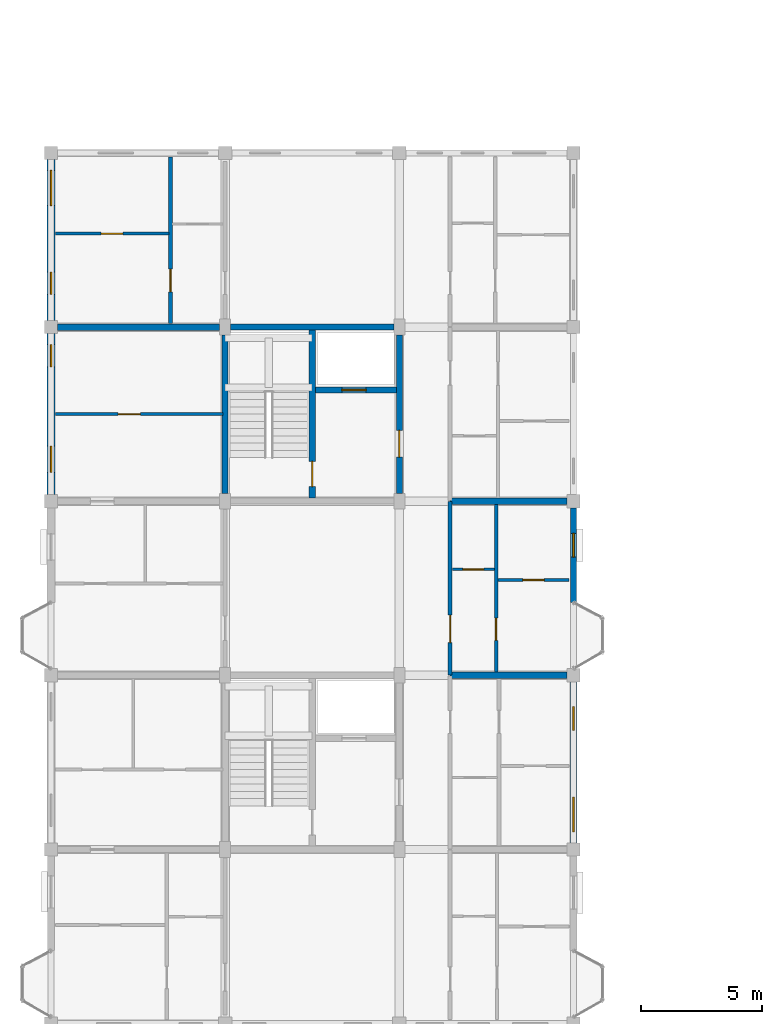
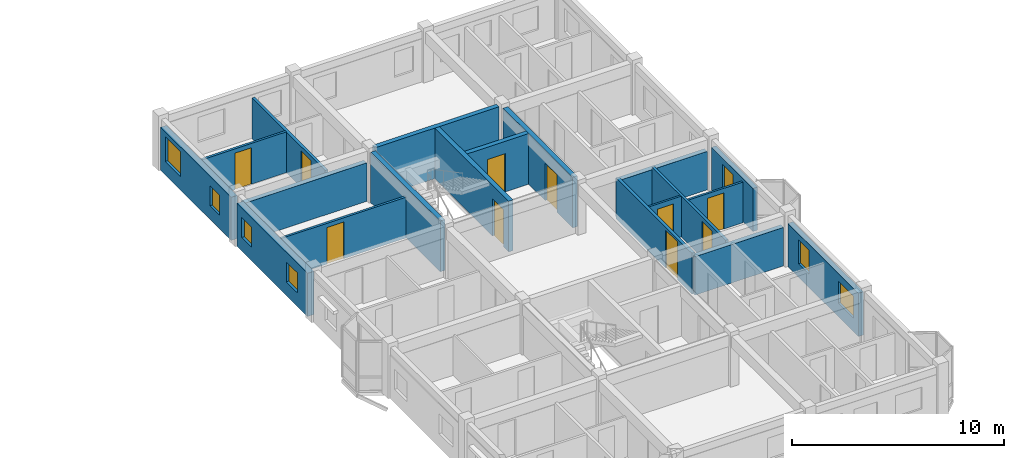
# One storey, part 57 of 77: 19 walls, 10 doors, 7 windows, 17 openings.
"""IFC4 building model written with IfcOpenShell, lengths in metres."""

from ifc_helpers import new_model, si_unit, direction, frame, frame_2d, origin, place, context, subcontext, project, spatial, rectangle, extrude, material, layer, layer_set, type_object, element, fill, save


model = new_model("IFC4")

# Units and contexts
model_context = context("Model", 3, precision=1e-05, world=origin(), true_north=direction((0.0, 1.0)))
body_context = subcontext(model_context, "Body", "Model", "MODEL_VIEW")
ifc_project = project(units=[si_unit("LENGTHUNIT", "METRE"), si_unit("AREAUNIT", "SQUARE_METRE"), si_unit("VOLUMEUNIT", "CUBIC_METRE"), si_unit("PLANEANGLEUNIT", "RADIAN"), si_unit("MASSUNIT", "GRAM", prefix="KILO"), si_unit("THERMODYNAMICTEMPERATUREUNIT", "KELVIN"), si_unit("POWERUNIT", "WATT")], contexts=[model_context])

# Site, building, storey
site_placement = place(None, origin())
site = spatial("IfcSite", under=ifc_project, at=site_placement, CompositionType="ELEMENT")
building_placement = place(site_placement, origin())
building = spatial("IfcBuilding", under=site, at=building_placement, Name="Tavuni Mirador Residences", CompositionType="ELEMENT")
storey_placement = place(building_placement, frame((0.0, 0.0, 10.800048828125)))
storey = spatial("IfcBuildingStorey", under=building, at=storey_placement, Name="L03", CompositionType="ELEMENT", Elevation=10.800048828125)

# Walls
ifc_material_1 = material(Name="Precast concrete C40/50", Category="concrete")
ifc_layer_1 = layer(ifc_material_1, 0.25, Name="Precast concrete C40/50", Category="concrete")
ifc_layer_set_1 = layer_set([ifc_layer_1], Name="Precast concrete C40/50")
wall_type_1 = type_object("IfcWallType", Name="WT-COR250", PredefinedType="SHEAR", material=ifc_layer_set_1)
wall_1_placement = place(storey_placement, frame((10.800048828125, 86.72509765625, 0.0), z_axis=(0.0, 0.0, 1.0), x_axis=(0.0, 1.0, 0.0)))
element("IfcWall", 1, at=wall_1_placement, inside=storey, type_object=wall_type_1, Name="CWALL-C4-L03-W", PredefinedType="SHEAR", context=body_context, shape_type="SweptSolid", body=[
    extrude(rectangle(XDim=6.5498046875, YDim=0.25, at=frame_2d((3.27490234375, 0.0))), origin(), (0.0, 0.0, 1.0), 2.909912109375),
])
wall_2_placement = place(storey_placement, frame((11.02490234375, 93.60009765625, 0.0), z_axis=(0.0, 0.0, 1.0), x_axis=(1.0, 0.0, 0.0)))
element("IfcWall", 2, at=wall_2_placement, inside=storey, type_object=wall_type_1, Name="CWALL-C4-L03-N", PredefinedType="SHEAR", context=body_context, shape_type="SweptSolid", body=[
    extrude(rectangle(XDim=6.75, YDim=0.25, at=frame_2d((3.375, 0.0))), origin(), (0.0, 0.0, 1.0), 2.909912109375),
])

# Wall, opening, door
wall_3_placement = place(storey_placement, frame((18.0, 86.72509765625, 0.0), z_axis=(0.0, 0.0, 1.0), x_axis=(0.0, 1.0, 0.0)))
wall_3 = element("IfcWall", 3, at=wall_3_placement, inside=storey, type_object=wall_type_1, Name="CWALL-C4-L03-E", PredefinedType="SHEAR", context=body_context, shape_type="SweptSolid", body=[
    extrude(rectangle(XDim=6.5498046875, YDim=0.25, at=frame_2d((3.27490234375, 0.0))), origin(), (0.0, 0.0, 1.0), 2.909912109375),
])
opening_1_placement = place(wall_3_placement, frame((1.5, 0.0, 0.0)))
opening_1 = element("IfcOpeningElement", 4, at=opening_1_placement, cuts=wall_3, Name="Opening D-02", PredefinedType="OPENING", context=body_context, shape_type="SweptSolid", body=[
    extrude(rectangle(XDim=1.10009765625, YDim=2.14990234375, at=frame_2d((0.550048828125, 1.074951171875))), frame((0.0, 0.135009765625, 0.0), z_axis=(0.0, -1.0, 0.0), x_axis=(1.0, 0.0, 0.0)), (0.0, 0.0, 1.0), 0.27001953125),
])
ifc_material_2 = material(Name="Solid core iroko timber", Category="wood")
door_type_1 = type_object("IfcDoorType", Name="DT-LOB1100", OperationType="NOTDEFINED", PredefinedType="DOOR", material=ifc_material_2)
door_1_placement = place(opening_1_placement, frame((1.10009765625, 0.0, 0.0), z_axis=(0.0, 0.0, 1.0), x_axis=(-1.0, 0.0, 0.0)))
door_1 = element("IfcDoor", 5, at=door_1_placement, inside=storey, type_object=door_type_1, Name="DR-2153", OperationType="SINGLE_SWING_RIGHT", OverallHeight=2.14990234375, OverallWidth=1.10009765625, PredefinedType="DOOR", context=body_context, shape_type="SweptSolid", body=[
    extrude(rectangle(XDim=1.10009765625, YDim=2.14990234375, at=frame_2d((0.550048828125, 1.074951171875))), frame((0.0, 0.02490234375, 0.0), z_axis=(0.0, -1.0, 0.0), x_axis=(1.0, 0.0, 0.0)), (0.0, 0.0, 1.0), 0.050048828125),
])
fill(opening_1, door_1)

wall_4_placement = place(storey_placement, frame((14.39990234375, 86.52490234375, 0.0), z_axis=(0.0, 0.0, 1.0), x_axis=(0.0, 1.0, 0.0)))
wall_4 = element("IfcWall", 6, at=wall_4_placement, inside=storey, type_object=wall_type_1, Name="CWALL-C4-L03-MID", PredefinedType="SHEAR", context=body_context, shape_type="SweptSolid", body=[
    extrude(rectangle(XDim=6.9501953125, YDim=0.25, at=frame_2d((3.47509765625, 0.0))), origin(), (0.0, 0.0, 1.0), 2.909912109375),
])
opening_2_placement = place(wall_4_placement, frame((0.47509765625, 0.0, 0.0)))
opening_2 = element("IfcOpeningElement", 7, at=opening_2_placement, cuts=wall_4, Name="Opening D-01", PredefinedType="OPENING", context=body_context, shape_type="SweptSolid", body=[
    extrude(rectangle(XDim=1.050048828125, YDim=2.14990234375, at=frame_2d((0.52490234375, 1.074951171875))), frame((0.0, 0.135009765625, 0.0), z_axis=(0.0, -1.0, 0.0), x_axis=(1.0, 0.0, 0.0)), (0.0, 0.0, 1.0), 0.27001953125),
])
door_type_2 = type_object("IfcDoorType", Name="DT-ST1050", OperationType="NOTDEFINED", PredefinedType="DOOR", material=ifc_material_2)
door_2_placement = place(opening_2_placement, origin())
door_2 = element("IfcDoor", 8, at=door_2_placement, inside=storey, type_object=door_type_2, Name="DR-2154", OperationType="SINGLE_SWING_RIGHT", OverallHeight=2.14990234375, OverallWidth=1.050048828125, PredefinedType="DOOR", context=body_context, shape_type="SweptSolid", body=[
    extrude(rectangle(XDim=1.050048828125, YDim=2.14990234375, at=frame_2d((0.52490234375, 1.074951171875))), frame((0.0, 0.02490234375, 0.0), z_axis=(0.0, -1.0, 0.0), x_axis=(1.0, 0.0, 0.0)), (0.0, 0.0, 1.0), 0.050048828125),
])
fill(opening_2, door_2)

wall_5_placement = place(storey_placement, frame((14.52490234375, 91.0, 0.0), z_axis=(0.0, 0.0, 1.0), x_axis=(1.0, 0.0, 0.0)))
wall_5 = element("IfcWall", 9, at=wall_5_placement, inside=storey, type_object=wall_type_1, Name="CWALL-C4-L03-SHF", PredefinedType="SHEAR", context=body_context, shape_type="SweptSolid", body=[
    extrude(rectangle(XDim=3.35009765625, YDim=0.25, at=frame_2d((1.675048828125, 0.0))), origin(), (0.0, 0.0, 1.0), 2.909912109375),
])
opening_3_placement = place(wall_5_placement, frame((1.10009765625, 0.0, 0.0)))
opening_3 = element("IfcOpeningElement", 10, at=opening_3_placement, cuts=wall_5, Name="Opening LD-02", PredefinedType="OPENING", context=body_context, shape_type="SweptSolid", body=[
    extrude(rectangle(XDim=1.0, YDim=2.199951171875, at=frame_2d((0.5, 1.10009765625))), frame((0.0, 0.135009765625, 0.0), z_axis=(0.0, -1.0, 0.0), x_axis=(1.0, 0.0, 0.0)), (0.0, 0.0, 1.0), 0.27001953125),
])
ifc_material_3 = material(Name="Structural steel S355", Category="steel")
door_type_3 = type_object("IfcDoorType", Name="DT-LD-PAX", OperationType="SLIDING_TO_LEFT", PredefinedType="DOOR", material=ifc_material_3)
door_3_placement = place(opening_3_placement, origin())
door_3 = element("IfcDoor", 11, at=door_3_placement, inside=storey, type_object=door_type_3, Name="Lift landing door PL-B2 L03", OperationType="SLIDING_TO_LEFT", OverallHeight=2.199951171875, OverallWidth=1.0, PredefinedType="DOOR", context=body_context, shape_type="SweptSolid", body=[
    extrude(rectangle(XDim=1.0, YDim=2.199951171875, at=frame_2d((0.5, 1.10009765625))), frame((0.0, 0.02490234375, 0.0), z_axis=(0.0, -1.0, 0.0), x_axis=(1.0, 0.0, 0.0)), (0.0, 0.0, 1.0), 0.050048828125),
])
fill(opening_3, door_3)

ifc_layer_2 = layer(ifc_material_1, 0.1650390625, Name="Precast concrete C40/50", Category="concrete")
ifc_layer_set_2 = layer_set([ifc_layer_2], Name="Precast concrete C40/50")
wall_type_2 = type_object("IfcWallType", Name="WT-CORR165", PredefinedType="PARTITIONING", material=ifc_layer_set_2)
wall_6_placement = place(storey_placement, frame((20.10009765625, 79.219970703125, 0.0), z_axis=(0.0, 0.0, 1.0), x_axis=(0.0, 1.0, 0.0)))
wall_6 = element("IfcWall", 12, at=wall_6_placement, inside=storey, type_object=wall_type_2, Name="CORW-BLK-B-L03-0-02", PredefinedType="PARTITIONING", context=body_context, shape_type="SweptSolid", body=[
    extrude(rectangle(XDim=7.159912109375, YDim=0.1650390625, at=frame_2d((3.580078125, 0.0))), origin(), (0.0, 0.0, 1.0), 2.344970703125),
])
opening_4_placement = place(wall_6_placement, frame((1.330078125, 0.0, 0.0)))
opening_4 = element("IfcOpeningElement", 13, at=opening_4_placement, cuts=wall_6, Name="Opening D-20", PredefinedType="OPENING", context=body_context, shape_type="SweptSolid", body=[
    extrude(rectangle(XDim=1.139892578125, YDim=2.179931640625, at=frame_2d((0.56982421875, 1.08984375))), frame((0.0, 0.092529296875, 0.0), z_axis=(0.0, -1.0, 0.0), x_axis=(1.0, 0.0, 0.0)), (0.0, 0.0, 1.0), 0.18505859375),
])
door_type_4 = type_object("IfcDoorType", Name="DT-FD60-1140", OperationType="NOTDEFINED", PredefinedType="DOOR", material=ifc_material_2)
door_4_placement = place(opening_4_placement, origin())
door_4 = element("IfcDoor", 14, at=door_4_placement, inside=storey, type_object=door_type_4, Name="DR-2555", OperationType="SINGLE_SWING_RIGHT", OverallHeight=2.179931640625, OverallWidth=1.139892578125, PredefinedType="DOOR", context=body_context, shape_type="SweptSolid", body=[
    extrude(rectangle(XDim=1.139892578125, YDim=2.179931640625, at=frame_2d((0.56982421875, 1.08984375))), frame((0.0, 0.02490234375, 0.0), z_axis=(0.0, -1.0, 0.0), x_axis=(1.0, 0.0, 0.0)), (0.0, 0.0, 1.0), 0.050048828125),
])
fill(opening_4, door_4)

# Wall, openings, windows
ifc_layer_3 = layer(ifc_material_1, 0.330078125, Name="Precast concrete C40/50", Category="concrete")
ifc_layer_set_3 = layer_set([ifc_layer_3], Name="Precast concrete C40/50")
wall_type_3 = type_object("IfcWallType", Name="WT-EXT-COR330", PredefinedType="SOLIDWALL", material=ifc_layer_set_3)
wall_7_placement = place(storey_placement, frame((3.60009765625, 100.52490234375, 0.0), z_axis=(0.0, 0.0, 1.0), x_axis=(0.0, -1.0, 0.0)))
wall_7 = element("IfcWall", 15, at=wall_7_placement, inside=storey, type_object=wall_type_3, Name="EW-BLK-B-L03-W04", PredefinedType="SOLIDWALL", context=body_context, shape_type="SweptSolid", body=[
    extrude(rectangle(XDim=6.64990234375, YDim=0.330078125, at=frame_2d((3.324951171875, 0.0))), origin(), (0.0, 0.0, 1.0), 2.47998046875),
])
opening_5_placement = place(wall_7_placement, frame((0.449951171875, 0.0, 0.780029296875)))
opening_5 = element("IfcOpeningElement", 16, at=opening_5_placement, cuts=wall_7, Name="Opening WN-30", PredefinedType="OPENING", context=body_context, shape_type="SweptSolid", body=[
    extrude(rectangle(XDim=1.449951171875, YDim=1.43994140625, at=frame_2d((0.72509765625, 0.719970703125))), frame((0.0, 0.175048828125, 0.0), z_axis=(0.0, -1.0, 0.0), x_axis=(1.0, 0.0, 0.0)), (0.0, 0.0, 1.0), 0.35009765625),
])
opening_6_placement = place(wall_7_placement, frame((4.64990234375, 0.0, 0.780029296875)))
opening_6 = element("IfcOpeningElement", 17, at=opening_6_placement, cuts=wall_7, Name="Opening WN-02", PredefinedType="OPENING", context=body_context, shape_type="SweptSolid", body=[
    extrude(rectangle(XDim=0.919921875, YDim=1.14990234375, at=frame_2d((0.4599609375, 0.574951171875))), frame((0.0, 0.175048828125, 0.0), z_axis=(0.0, -1.0, 0.0), x_axis=(1.0, 0.0, 0.0)), (0.0, 0.0, 1.0), 0.35009765625),
])
ifc_material_4 = material(Name="Laminated solar-control glass", Category="glass")
window_type_1 = type_object("IfcWindowType", Name="WNT-02", PartitioningType="SINGLE_PANEL", PredefinedType="WINDOW", material=ifc_material_4)
window_1_placement = place(opening_6_placement, origin())
window_1 = element("IfcWindow", 18, at=window_1_placement, inside=storey, type_object=window_type_1, Name="WIN-0657", OverallHeight=1.14990234375, OverallWidth=0.919921875, PartitioningType="SINGLE_PANEL", PredefinedType="WINDOW", context=body_context, shape_type="SweptSolid", body=[
    extrude(rectangle(XDim=0.919921875, YDim=1.14990234375, at=frame_2d((0.4599609375, 0.574951171875))), frame((0.0, 0.030029296875, 0.0), z_axis=(0.0, -1.0, 0.0), x_axis=(1.0, 0.0, 0.0)), (0.0, 0.0, 1.0), 0.06005859375),
])
fill(opening_6, window_1)
window_type_2 = type_object("IfcWindowType", Name="WNT-30", PartitioningType="SINGLE_PANEL", PredefinedType="WINDOW", material=ifc_material_4)
window_2_placement = place(opening_5_placement, origin())
window_2 = element("IfcWindow", 19, at=window_2_placement, inside=storey, type_object=window_type_2, Name="WIN-0656", OverallHeight=1.43994140625, OverallWidth=1.449951171875, PartitioningType="SINGLE_PANEL", PredefinedType="WINDOW", context=body_context, shape_type="SweptSolid", body=[
    extrude(rectangle(XDim=1.449951171875, YDim=1.43994140625, at=frame_2d((0.72509765625, 0.719970703125))), frame((0.0, 0.030029296875, 0.0), z_axis=(0.0, -1.0, 0.0), x_axis=(1.0, 0.0, 0.0)), (0.0, 0.0, 1.0), 0.06005859375),
])
fill(opening_5, window_2)

# Wall, opening, window
ifc_material_5 = material(Name="Sgraffito lime-rendered precast concrete C40/50", Category="concrete")
ifc_layer_4 = layer(ifc_material_5, 0.2548828125, Name="Sgraffito lime-rendered precast concrete C40/50", Category="concrete")
ifc_layer_set_4 = layer_set([ifc_layer_4], Name="Sgraffito lime-rendered precast concrete C40/50")
wall_type_4 = type_object("IfcWallType", Name="WT-EXT-PC255", PredefinedType="SOLIDWALL", material=ifc_layer_set_4)
wall_8_placement = place(storey_placement, frame((25.199951171875, 82.219970703125, 0.0), z_axis=(0.0, 0.0, 1.0), x_axis=(0.0, 1.0, 0.0)))
wall_8 = element("IfcWall", 20, at=wall_8_placement, inside=storey, type_object=wall_type_4, Name="EW-BLK-B-L03-E02", PredefinedType="SOLIDWALL", context=body_context, shape_type="SweptSolid", body=[
    extrude(rectangle(XDim=3.905029296875, YDim=0.2548828125, at=frame_2d((1.95263671875, 0.0))), origin(), (0.0, 0.0, 1.0), 2.47998046875),
])
opening_7_placement = place(wall_8_placement, frame((1.867431640625, 0.0, 0.780029296875)))
opening_7 = element("IfcOpeningElement", 21, at=opening_7_placement, cuts=wall_8, Name="Opening WN-18", PredefinedType="OPENING", context=body_context, shape_type="SweptSolid", body=[
    extrude(rectangle(XDim=0.97998046875, YDim=1.360107421875, at=frame_2d((0.489990234375, 0.68017578125))), frame((0.0, 0.137451171875, 0.0), z_axis=(0.0, -1.0, 0.0), x_axis=(1.0, 0.0, 0.0)), (0.0, 0.0, 1.0), 0.27490234375),
])
window_type_3 = type_object("IfcWindowType", Name="WNT-18", PartitioningType="SINGLE_PANEL", PredefinedType="WINDOW", material=ifc_material_4)
window_3_placement = place(opening_7_placement, origin())
window_3 = element("IfcWindow", 22, at=window_3_placement, inside=storey, type_object=window_type_3, Name="WIN-0644", OverallHeight=1.360107421875, OverallWidth=0.97998046875, PartitioningType="SINGLE_PANEL", PredefinedType="WINDOW", context=body_context, shape_type="SweptSolid", body=[
    extrude(rectangle(XDim=0.97998046875, YDim=1.360107421875, at=frame_2d((0.489990234375, 0.68017578125))), frame((0.0, 0.030029296875, 0.0), z_axis=(0.0, -1.0, 0.0), x_axis=(1.0, 0.0, 0.0)), (0.0, 0.0, 1.0), 0.06005859375),
])
fill(opening_7, window_3)

# Wall, openings, windows
ifc_layer_5 = layer(ifc_material_5, 0.27490234375, Name="Sgraffito lime-rendered precast concrete C40/50", Category="concrete")
ifc_layer_set_5 = layer_set([ifc_layer_5], Name="Sgraffito lime-rendered precast concrete C40/50")
wall_type_5 = type_object("IfcWallType", Name="WT-EXT-PC275", PredefinedType="SOLIDWALL", material=ifc_layer_set_5)
wall_9_placement = place(storey_placement, frame((25.199951171875, 72.27490234375, 0.0), z_axis=(0.0, 0.0, 1.0), x_axis=(0.0, 1.0, 0.0)))
wall_9 = element("IfcWall", 23, at=wall_9_placement, inside=storey, type_object=wall_type_5, Name="EW-BLK-B-L03-E01", PredefinedType="SOLIDWALL", context=body_context, shape_type="SweptSolid", body=[
    extrude(rectangle(XDim=6.650146484375, YDim=0.27490234375, at=frame_2d((3.3251953125, 0.0))), origin(), (0.0, 0.0, 1.0), 2.47998046875),
])
opening_8_placement = place(wall_9_placement, frame((0.449951171875, 0.0, 0.780029296875)))
opening_8 = element("IfcOpeningElement", 24, at=opening_8_placement, cuts=wall_9, Name="Opening WN-16", PredefinedType="OPENING", context=body_context, shape_type="SweptSolid", body=[
    extrude(rectangle(XDim=1.43994140625, YDim=1.260009765625, at=frame_2d((0.719970703125, 0.6298828125))), frame((0.0, 0.1474609375, 0.0), z_axis=(0.0, -1.0, 0.0), x_axis=(1.0, 0.0, 0.0)), (0.0, 0.0, 1.0), 0.294921875),
])
opening_9_placement = place(wall_9_placement, frame((4.64990234375, 0.0, 0.780029296875)))
opening_9 = element("IfcOpeningElement", 25, at=opening_9_placement, cuts=wall_9, Name="Opening WN-18", PredefinedType="OPENING", context=body_context, shape_type="SweptSolid", body=[
    extrude(rectangle(XDim=0.97998046875, YDim=1.360107421875, at=frame_2d((0.489990234375, 0.68017578125))), frame((0.0, 0.1474609375, 0.0), z_axis=(0.0, -1.0, 0.0), x_axis=(1.0, 0.0, 0.0)), (0.0, 0.0, 1.0), 0.294921875),
])
window_type_4 = type_object("IfcWindowType", Name="WNT-16", PartitioningType="SINGLE_PANEL", PredefinedType="WINDOW", material=ifc_material_4)
window_4_placement = place(opening_8_placement, origin())
window_4 = element("IfcWindow", 26, at=window_4_placement, inside=storey, type_object=window_type_4, Name="WIN-0642", OverallHeight=1.260009765625, OverallWidth=1.43994140625, PartitioningType="SINGLE_PANEL", PredefinedType="WINDOW", context=body_context, shape_type="SweptSolid", body=[
    extrude(rectangle(XDim=1.43994140625, YDim=1.260009765625, at=frame_2d((0.719970703125, 0.6298828125))), frame((0.0, 0.030029296875, 0.0), z_axis=(0.0, -1.0, 0.0), x_axis=(1.0, 0.0, 0.0)), (0.0, 0.0, 1.0), 0.06005859375),
])
fill(opening_8, window_4)
window_5_placement = place(opening_9_placement, origin())
window_5 = element("IfcWindow", 27, at=window_5_placement, inside=storey, type_object=window_type_3, Name="WIN-0643", OverallHeight=1.360107421875, OverallWidth=0.97998046875, PartitioningType="SINGLE_PANEL", PredefinedType="WINDOW", context=body_context, shape_type="SweptSolid", body=[
    extrude(rectangle(XDim=0.97998046875, YDim=1.360107421875, at=frame_2d((0.489990234375, 0.68017578125))), frame((0.0, 0.030029296875, 0.0), z_axis=(0.0, -1.0, 0.0), x_axis=(1.0, 0.0, 0.0)), (0.0, 0.0, 1.0), 0.06005859375),
])
fill(opening_9, window_5)

ifc_layer_6 = layer(ifc_material_5, 0.344970703125, Name="Sgraffito lime-rendered precast concrete C40/50", Category="concrete")
ifc_layer_set_6 = layer_set([ifc_layer_6], Name="Sgraffito lime-rendered precast concrete C40/50")
wall_type_6 = type_object("IfcWallType", Name="WT-EXT-PTY345", PredefinedType="SOLIDWALL", material=ifc_layer_set_6)
wall_10_placement = place(storey_placement, frame((3.60009765625, 93.324951171875, 0.0), z_axis=(0.0, 0.0, 1.0), x_axis=(0.0, -1.0, 0.0)))
wall_10 = element("IfcWall", 28, at=wall_10_placement, inside=storey, type_object=wall_type_6, Name="EW-BLK-B-L03-W03", PredefinedType="SOLIDWALL", context=body_context, shape_type="SweptSolid", body=[
    extrude(rectangle(XDim=6.64990234375, YDim=0.344970703125, at=frame_2d((3.324951171875, 0.0))), origin(), (0.0, 0.0, 1.0), 2.47998046875),
])
opening_10_placement = place(wall_10_placement, frame((0.449951171875, 0.0, 0.780029296875)))
opening_10 = element("IfcOpeningElement", 29, at=opening_10_placement, cuts=wall_10, Name="Opening WN-02", PredefinedType="OPENING", context=body_context, shape_type="SweptSolid", body=[
    extrude(rectangle(XDim=0.919921875, YDim=1.14990234375, at=frame_2d((0.4599609375, 0.574951171875))), frame((0.0, 0.1826171875, 0.0), z_axis=(0.0, -1.0, 0.0), x_axis=(1.0, 0.0, 0.0)), (0.0, 0.0, 1.0), 0.364990234375),
])
opening_11_placement = place(wall_10_placement, frame((4.64990234375, 0.0, 0.780029296875)))
opening_11 = element("IfcOpeningElement", 30, at=opening_11_placement, cuts=wall_10, Name="Opening WN-04", PredefinedType="OPENING", context=body_context, shape_type="SweptSolid", body=[
    extrude(rectangle(XDim=1.080078125, YDim=1.14990234375, at=frame_2d((0.5400390625, 0.574951171875))), frame((0.0, 0.1826171875, 0.0), z_axis=(0.0, -1.0, 0.0), x_axis=(1.0, 0.0, 0.0)), (0.0, 0.0, 1.0), 0.364990234375),
])
window_6_placement = place(opening_10_placement, origin())
window_6 = element("IfcWindow", 31, at=window_6_placement, inside=storey, type_object=window_type_1, Name="WIN-0658", OverallHeight=1.14990234375, OverallWidth=0.919921875, PartitioningType="SINGLE_PANEL", PredefinedType="WINDOW", context=body_context, shape_type="SweptSolid", body=[
    extrude(rectangle(XDim=0.919921875, YDim=1.14990234375, at=frame_2d((0.4599609375, 0.574951171875))), frame((0.0, 0.030029296875, 0.0), z_axis=(0.0, -1.0, 0.0), x_axis=(1.0, 0.0, 0.0)), (0.0, 0.0, 1.0), 0.06005859375),
])
fill(opening_10, window_6)
window_type_5 = type_object("IfcWindowType", Name="WNT-04", PartitioningType="SINGLE_PANEL", PredefinedType="WINDOW", material=ifc_material_4)
window_7_placement = place(opening_11_placement, origin())
window_7 = element("IfcWindow", 32, at=window_7_placement, inside=storey, type_object=window_type_5, Name="WIN-0659", OverallHeight=1.14990234375, OverallWidth=1.080078125, PartitioningType="SINGLE_PANEL", PredefinedType="WINDOW", context=body_context, shape_type="SweptSolid", body=[
    extrude(rectangle(XDim=1.080078125, YDim=1.14990234375, at=frame_2d((0.5400390625, 0.574951171875))), frame((0.0, 0.030029296875, 0.0), z_axis=(0.0, -1.0, 0.0), x_axis=(1.0, 0.0, 0.0)), (0.0, 0.0, 1.0), 0.06005859375),
])
fill(opening_11, window_7)

# Wall, opening, door
ifc_material_6 = material(Name="Acoustic gypsum and concrete block partition", Category="concrete")
ifc_layer_7 = layer(ifc_material_6, 0.10498046875, Name="Acoustic gypsum and concrete block partition", Category="concrete")
ifc_layer_set_7 = layer_set([ifc_layer_7], Name="Acoustic gypsum and concrete block partition")
wall_type_7 = type_object("IfcWallType", Name="WT-PART105", PredefinedType="PARTITIONING", material=ifc_layer_set_7)
wall_11_placement = place(storey_placement, frame((20.18994140625, 83.580078125, 0.0), z_axis=(0.0, 0.0, 1.0), x_axis=(1.0, 0.0, 0.0)))
wall_11 = element("IfcWall", 33, at=wall_11_placement, inside=storey, type_object=wall_type_7, Name="PW-BLK-B-L03-E02-IN1", PredefinedType="PARTITIONING", context=body_context, shape_type="SweptSolid", body=[
    extrude(rectangle(XDim=1.739990234375, YDim=0.10498046875, at=frame_2d((0.8701171875, 0.0))), origin(), (0.0, 0.0, 1.0), 2.344970703125),
])
opening_12_placement = place(wall_11_placement, frame((0.43505859375, 0.0, 0.0)))
opening_12 = element("IfcOpeningElement", 34, at=opening_12_placement, cuts=wall_11, Name="Opening D-10", PredefinedType="OPENING", context=body_context, shape_type="SweptSolid", body=[
    extrude(rectangle(XDim=0.8701171875, YDim=2.050048828125, at=frame_2d((0.43505859375, 1.02490234375))), frame((0.0, 0.0625, 0.0), z_axis=(0.0, -1.0, 0.0), x_axis=(1.0, 0.0, 0.0)), (0.0, 0.0, 1.0), 0.125),
])
door_type_5 = type_object("IfcDoorType", Name="DT-WC870", OperationType="NOTDEFINED", PredefinedType="DOOR", material=ifc_material_2)
door_5_placement = place(opening_12_placement, origin())
door_5 = element("IfcDoor", 35, at=door_5_placement, inside=storey, type_object=door_type_5, Name="DR-3515", OperationType="SINGLE_SWING_LEFT", OverallHeight=2.050048828125, OverallWidth=0.8701171875, PredefinedType="DOOR", context=body_context, shape_type="SweptSolid", body=[
    extrude(rectangle(XDim=0.8701171875, YDim=2.050048828125, at=frame_2d((0.43505859375, 1.02490234375))), frame((0.0, 0.02490234375, 0.0), z_axis=(0.0, -1.0, 0.0), x_axis=(1.0, 0.0, 0.0)), (0.0, 0.0, 1.0), 0.050048828125),
])
fill(opening_12, door_5)

ifc_layer_8 = layer(ifc_material_6, 0.114990234375, Name="Acoustic gypsum and concrete block partition", Category="concrete")
ifc_layer_set_8 = layer_set([ifc_layer_8], Name="Acoustic gypsum and concrete block partition")
wall_type_8 = type_object("IfcWallType", Name="WT-PART115", PredefinedType="PARTITIONING", material=ifc_layer_set_8)
wall_12_placement = place(storey_placement, frame((22.070068359375, 83.139892578125, 0.0), z_axis=(0.0, 0.0, 1.0), x_axis=(1.0, 0.0, 0.0)))
wall_12 = element("IfcWall", 36, at=wall_12_placement, inside=storey, type_object=wall_type_8, Name="PW-BLK-B-L03-E02-OUT", PredefinedType="PARTITIONING", context=body_context, shape_type="SweptSolid", body=[
    extrude(rectangle(XDim=2.954833984375, YDim=0.114990234375, at=frame_2d((1.4775390625, 0.0))), origin(), (0.0, 0.0, 1.0), 2.344970703125),
])
opening_13_placement = place(wall_12_placement, frame((1.03759765625, 0.0, 0.0)))
opening_13 = element("IfcOpeningElement", 37, at=opening_13_placement, cuts=wall_12, Name="Opening D-08", PredefinedType="OPENING", context=body_context, shape_type="SweptSolid", body=[
    extrude(rectangle(XDim=0.8798828125, YDim=2.080078125, at=frame_2d((0.43994140625, 1.0400390625))), frame((0.0, 0.0673828125, 0.0), z_axis=(0.0, -1.0, 0.0), x_axis=(1.0, 0.0, 0.0)), (0.0, 0.0, 1.0), 0.135009765625),
])
door_type_6 = type_object("IfcDoorType", Name="DT-BED880", OperationType="NOTDEFINED", PredefinedType="DOOR", material=ifc_material_2)
door_6_placement = place(opening_13_placement, origin())
door_6 = element("IfcDoor", 38, at=door_6_placement, inside=storey, type_object=door_type_6, Name="DR-3514", OperationType="SINGLE_SWING_RIGHT", OverallHeight=2.080078125, OverallWidth=0.8798828125, PredefinedType="DOOR", context=body_context, shape_type="SweptSolid", body=[
    extrude(rectangle(XDim=0.8798828125, YDim=2.080078125, at=frame_2d((0.43994140625, 1.0400390625))), frame((0.0, 0.02490234375, 0.0), z_axis=(0.0, -1.0, 0.0), x_axis=(1.0, 0.0, 0.0)), (0.0, 0.0, 1.0), 0.050048828125),
])
fill(opening_13, door_6)

ifc_layer_9 = layer(ifc_material_6, 0.125, Name="Acoustic gypsum and concrete block partition", Category="concrete")
ifc_layer_set_9 = layer_set([ifc_layer_9], Name="Acoustic gypsum and concrete block partition")
wall_type_9 = type_object("IfcWallType", Name="WT-PART125", PredefinedType="PARTITIONING", material=ifc_layer_set_9)
wall_13_placement = place(storey_placement, frame((3.77490234375, 90.0, 0.0), z_axis=(0.0, 0.0, 1.0), x_axis=(1.0, 0.0, 0.0)))
wall_13 = element("IfcWall", 39, at=wall_13_placement, inside=storey, type_object=wall_type_9, Name="PW-BLK-B-L03-PF03-H", PredefinedType="PARTITIONING", context=body_context, shape_type="SweptSolid", body=[
    extrude(rectangle(XDim=6.93505859375, YDim=0.125, at=frame_2d((3.467529296875, 0.0))), origin(), (0.0, 0.0, 1.0), 2.344970703125),
])
opening_14_placement = place(wall_13_placement, frame((2.60009765625, 0.0, 0.0)))
opening_14 = element("IfcOpeningElement", 40, at=opening_14_placement, cuts=wall_13, Name="Opening D-06", PredefinedType="OPENING", context=body_context, shape_type="SweptSolid", body=[
    extrude(rectangle(XDim=0.919921875, YDim=2.10009765625, at=frame_2d((0.4599609375, 1.050048828125))), frame((0.0, 0.072509765625, 0.0), z_axis=(0.0, -1.0, 0.0), x_axis=(1.0, 0.0, 0.0)), (0.0, 0.0, 1.0), 0.14501953125),
])
door_type_7 = type_object("IfcDoorType", Name="DT-INT920", OperationType="NOTDEFINED", PredefinedType="DOOR", material=ifc_material_2)
door_7_placement = place(opening_14_placement, origin())
door_7 = element("IfcDoor", 41, at=door_7_placement, inside=storey, type_object=door_type_7, Name="DR-3517", OperationType="SINGLE_SWING_RIGHT", OverallHeight=2.10009765625, OverallWidth=0.919921875, PredefinedType="DOOR", context=body_context, shape_type="SweptSolid", body=[
    extrude(rectangle(XDim=0.919921875, YDim=2.10009765625, at=frame_2d((0.4599609375, 1.050048828125))), frame((0.0, 0.02490234375, 0.0), z_axis=(0.0, -1.0, 0.0), x_axis=(1.0, 0.0, 0.0)), (0.0, 0.0, 1.0), 0.050048828125),
])
fill(opening_14, door_7)

wall_14_placement = place(storey_placement, frame((3.77490234375, 97.4599609375, 0.0), z_axis=(0.0, 0.0, 1.0), x_axis=(1.0, 0.0, 0.0)))
wall_14 = element("IfcWall", 42, at=wall_14_placement, inside=storey, type_object=wall_type_9, Name="PW-BLK-B-L03-W04-OUT", PredefinedType="PARTITIONING", context=body_context, shape_type="SweptSolid", body=[
    extrude(rectangle(XDim=4.695068359375, YDim=0.125, at=frame_2d((2.34765625, 0.0))), origin(), (0.0, 0.0, 1.0), 2.344970703125),
])
opening_15_placement = place(wall_14_placement, frame((1.8974609375, 0.0, 0.0)))
opening_15 = element("IfcOpeningElement", 43, at=opening_15_placement, cuts=wall_14, Name="Opening D-07", PredefinedType="OPENING", context=body_context, shape_type="SweptSolid", body=[
    extrude(rectangle(XDim=0.89990234375, YDim=2.10009765625, at=frame_2d((0.449951171875, 1.050048828125))), frame((0.0, 0.072509765625, 0.0), z_axis=(0.0, -1.0, 0.0), x_axis=(1.0, 0.0, 0.0)), (0.0, 0.0, 1.0), 0.14501953125),
])
door_type_8 = type_object("IfcDoorType", Name="DT-BED900", OperationType="NOTDEFINED", PredefinedType="DOOR", material=ifc_material_2)
door_8_placement = place(opening_15_placement, origin())
door_8 = element("IfcDoor", 44, at=door_8_placement, inside=storey, type_object=door_type_8, Name="DR-3521", OperationType="SINGLE_SWING_LEFT", OverallHeight=2.10009765625, OverallWidth=0.89990234375, PredefinedType="DOOR", context=body_context, shape_type="SweptSolid", body=[
    extrude(rectangle(XDim=0.89990234375, YDim=2.10009765625, at=frame_2d((0.449951171875, 1.050048828125))), frame((0.0, 0.02490234375, 0.0), z_axis=(0.0, -1.0, 0.0), x_axis=(1.0, 0.0, 0.0)), (0.0, 0.0, 1.0), 0.050048828125),
])
fill(opening_15, door_8)

ifc_layer_10 = layer(ifc_material_6, 0.139892578125, Name="Acoustic gypsum and concrete block partition", Category="concrete")
ifc_layer_set_10 = layer_set([ifc_layer_10], Name="Acoustic gypsum and concrete block partition")
wall_type_10 = type_object("IfcWallType", Name="WT-PART140", PredefinedType="PARTITIONING", material=ifc_layer_set_10)
wall_15_placement = place(storey_placement, frame((22.0, 79.340087890625, 0.0), z_axis=(0.0, 0.0, 1.0), x_axis=(0.0, 1.0, 0.0)))
wall_15 = element("IfcWall", 45, at=wall_15_placement, inside=storey, type_object=wall_type_10, Name="PW-BLK-B-L03-E02-MID", PredefinedType="PARTITIONING", context=body_context, shape_type="SweptSolid", body=[
    extrude(rectangle(XDim=6.919921875, YDim=0.139892578125, at=frame_2d((3.4599609375, 0.0))), origin(), (0.0, 0.0, 1.0), 2.344970703125),
])
opening_16_placement = place(wall_15_placement, frame((1.31005859375, 0.0, 0.0)))
opening_16 = element("IfcOpeningElement", 46, at=opening_16_placement, cuts=wall_15, Name="Opening D-06", PredefinedType="OPENING", context=body_context, shape_type="SweptSolid", body=[
    extrude(rectangle(XDim=0.919921875, YDim=2.10009765625, at=frame_2d((0.4599609375, 1.050048828125))), frame((0.0, 0.080078125, 0.0), z_axis=(0.0, -1.0, 0.0), x_axis=(1.0, 0.0, 0.0)), (0.0, 0.0, 1.0), 0.159912109375),
])
door_9_placement = place(opening_16_placement, origin())
door_9 = element("IfcDoor", 47, at=door_9_placement, inside=storey, type_object=door_type_7, Name="DR-3516", OperationType="SINGLE_SWING_RIGHT", OverallHeight=2.10009765625, OverallWidth=0.919921875, PredefinedType="DOOR", context=body_context, shape_type="SweptSolid", body=[
    extrude(rectangle(XDim=0.919921875, YDim=2.10009765625, at=frame_2d((0.4599609375, 1.050048828125))), frame((0.0, 0.02490234375, 0.0), z_axis=(0.0, -1.0, 0.0), x_axis=(1.0, 0.0, 0.0)), (0.0, 0.0, 1.0), 0.050048828125),
])
fill(opening_16, door_9)

ifc_layer_11 = layer(ifc_material_6, 0.14990234375, Name="Acoustic gypsum and concrete block partition", Category="concrete")
ifc_layer_set_11 = layer_set([ifc_layer_11], Name="Acoustic gypsum and concrete block partition")
wall_type_11 = type_object("IfcWallType", Name="WT-PART150", PredefinedType="PARTITIONING", material=ifc_layer_set_11)
wall_16_placement = place(storey_placement, frame((8.5400390625, 93.739990234375, 0.0), z_axis=(0.0, 0.0, 1.0), x_axis=(0.0, 1.0, 0.0)))
wall_16 = element("IfcWall", 48, at=wall_16_placement, inside=storey, type_object=wall_type_11, Name="PW-BLK-B-L03-W04-MID", PredefinedType="PARTITIONING", context=body_context, shape_type="SweptSolid", body=[
    extrude(rectangle(XDim=6.885009765625, YDim=0.14990234375, at=frame_2d((3.4423828125, 0.0))), origin(), (0.0, 0.0, 1.0), 2.344970703125),
])
opening_17_placement = place(wall_16_placement, frame((1.31005859375, 0.0, 0.0)))
opening_17 = element("IfcOpeningElement", 49, at=opening_17_placement, cuts=wall_16, Name="Opening D-05", PredefinedType="OPENING", context=body_context, shape_type="SweptSolid", body=[
    extrude(rectangle(XDim=0.949951171875, YDim=2.10009765625, at=frame_2d((0.47509765625, 1.050048828125))), frame((0.0, 0.0849609375, 0.0), z_axis=(0.0, -1.0, 0.0), x_axis=(1.0, 0.0, 0.0)), (0.0, 0.0, 1.0), 0.169921875),
])
door_type_9 = type_object("IfcDoorType", Name="DT-INT950", OperationType="NOTDEFINED", PredefinedType="DOOR", material=ifc_material_2)
door_10_placement = place(opening_17_placement, origin())
door_10 = element("IfcDoor", 50, at=door_10_placement, inside=storey, type_object=door_type_9, Name="DR-3523", OperationType="SINGLE_SWING_LEFT", OverallHeight=2.10009765625, OverallWidth=0.949951171875, PredefinedType="DOOR", context=body_context, shape_type="SweptSolid", body=[
    extrude(rectangle(XDim=0.949951171875, YDim=2.10009765625, at=frame_2d((0.47509765625, 1.050048828125))), frame((0.0, 0.02490234375, 0.0), z_axis=(0.0, -1.0, 0.0), x_axis=(1.0, 0.0, 0.0)), (0.0, 0.0, 1.0), 0.050048828125),
])
fill(opening_17, door_10)

# Walls
ifc_layer_12 = layer(ifc_material_1, 0.264892578125, Name="Precast concrete C40/50", Category="concrete")
ifc_layer_set_12 = layer_set([ifc_layer_12], Name="Precast concrete C40/50")
wall_type_12 = type_object("IfcWallType", Name="WT-XW265", PredefinedType="SOLIDWALL", material=ifc_layer_set_12)
for number, where, z_axis, x_axis, name in (
    (51, (20.10009765625, 79.199951171875, 0.0), (0.0, 0.0, 1.0), (1.0, 0.0, 0.0), "XW-BLK-B-L03-E-02"),
    (52, (20.10009765625, 86.39990234375, 0.0), (0.0, 0.0, 1.0), (1.0, 0.0, 0.0), "XW-BLK-B-L03-E-03"),
):
    element("IfcWall", number, at=place(storey_placement, frame(where, z_axis=z_axis, x_axis=x_axis)), inside=storey, type_object=wall_type_12, Name=name, PredefinedType="SOLIDWALL", context=body_context, shape_type="SweptSolid", body=[
        extrude(rectangle(XDim=4.824951171875, YDim=0.264892578125, at=frame_2d((2.41259765625, 0.0))), origin(), (0.0, 0.0, 1.0), 2.2099609375),
    ])
wall_17_placement = place(storey_placement, frame((3.875, 93.60009765625, 0.0), z_axis=(0.0, 0.0, 1.0), x_axis=(1.0, 0.0, 0.0)))
element("IfcWall", 53, at=wall_17_placement, inside=storey, type_object=wall_type_12, Name="XW-BLK-B-L03-W-04", PredefinedType="SOLIDWALL", context=body_context, shape_type="SweptSolid", body=[
    extrude(rectangle(XDim=6.699951171875, YDim=0.264892578125, at=frame_2d((3.35009765625, 0.0))), origin(), (0.0, 0.0, 1.0), 2.2099609375),
])

save(model, "model.ifc")
